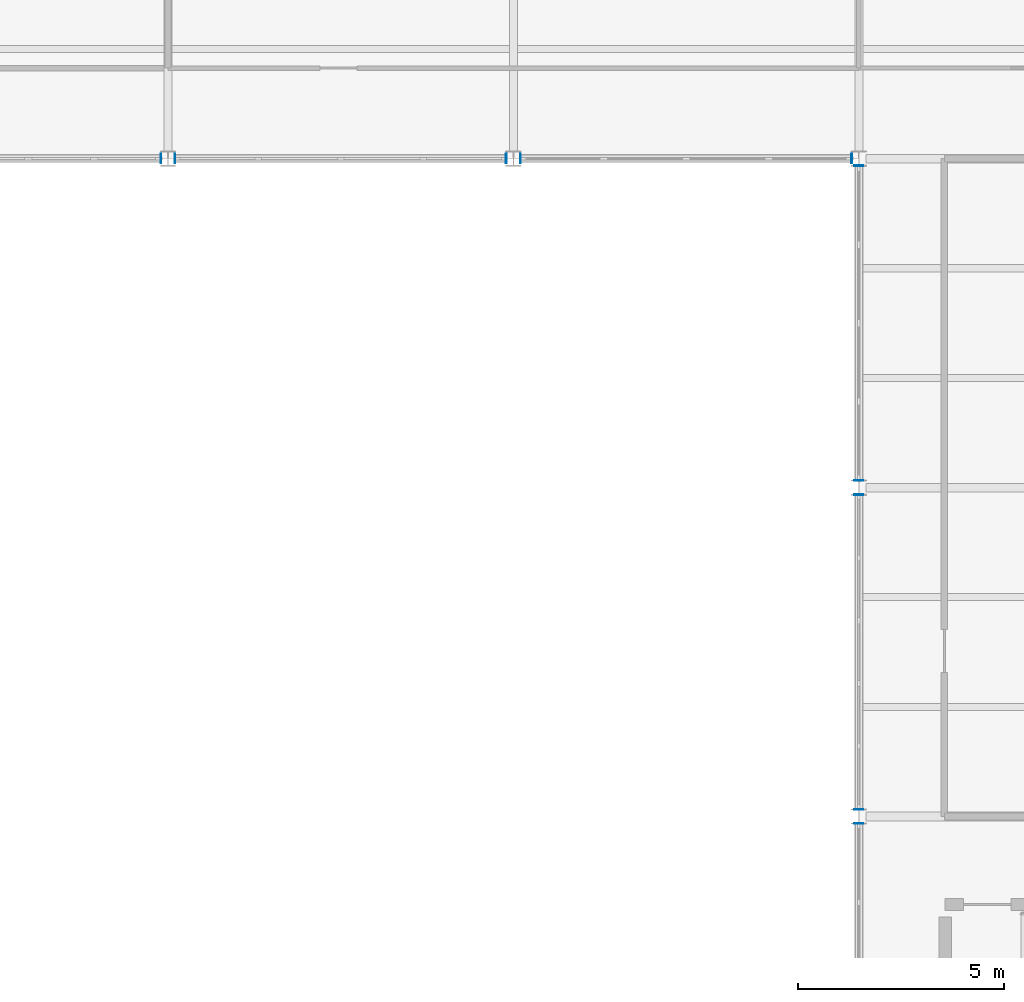
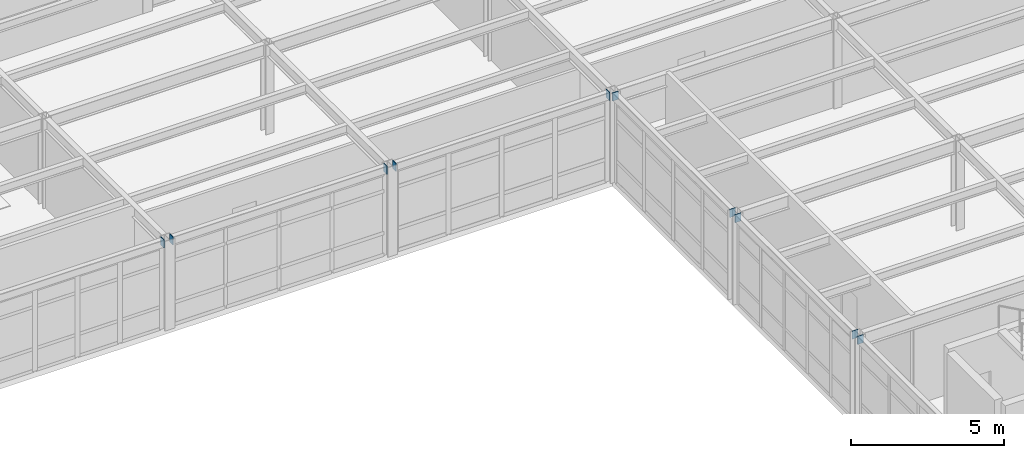
# One storey, part 84 of 96: 10 discrete accessories.
"""IFC4 building model written with IfcOpenShell, lengths in metres."""

from ifc_helpers import new_model, si_unit, direction, frame, origin, origin_2d, place, context, subcontext, project, spatial, rectangle, extrude, material, layer, layer_set, type_object, element, save


model = new_model("IFC4")

# Units and contexts
model_context = context("Model", 3, precision=1e-05, world=origin(), true_north=direction((0.0, 1.0)))
body_context = subcontext(model_context, "Body", "Model", "MODEL_VIEW")
ifc_project = project(units=[si_unit("LENGTHUNIT", "METRE"), si_unit("AREAUNIT", "SQUARE_METRE"), si_unit("VOLUMEUNIT", "CUBIC_METRE"), si_unit("PLANEANGLEUNIT", "RADIAN"), si_unit("MASSUNIT", "GRAM", prefix="KILO")], contexts=[model_context])

# Site, building, storey
site_placement = place(None, origin())
site = spatial("IfcSite", under=ifc_project, at=site_placement, CompositionType="ELEMENT")
building_placement = place(site_placement, origin())
building = spatial("IfcBuilding", under=site, at=building_placement, Name="Kranzveld Transit Interchange", CompositionType="ELEMENT")
storey_placement = place(building_placement, frame((0.0, 0.0, 9.52001953125)))
storey = spatial("IfcBuildingStorey", under=building, at=storey_placement, Name="L02", CompositionType="ELEMENT", Elevation=9.52001953125)

# Discrete accessories
ifc_material = material(Name="Steel S355JR", Category="steel")
ifc_layer = layer(ifc_material, 0.02001953125)
ifc_layer_set = layer_set([ifc_layer], Name="Steel S355JR")
discrete_accessory_type = type_object("IfcDiscreteAccessoryType", Name="Hollow Section End Cap Bracket 20 S355JR", PredefinedType="BRACKET", material=ifc_layer_set)
for number, where, z_axis, x_axis, name in (
    (1, (134.21875, 96.0, 3.419921875), (1.0, 0.0, 0.0), (0.0, 1.0, 0.0), "Hollow Section End Cap SP-RHS300-2"),
    (2, (134.581298828125, 96.0, 3.419921875), (-1.0, 0.0, 0.0), (0.0, -1.0, 0.0), "Hollow Section End Cap SP-RHS300-1"),
    (3, (142.61865234375, 96.0, 3.419921875), (1.0, 0.0, 0.0), (0.0, 1.0, 0.0), "Hollow Section End Cap SP-RHS300-2"),
    (4, (142.981201171875, 96.0, 3.419921875), (-1.0, 0.0, 0.0), (0.0, -1.0, 0.0), "Hollow Section End Cap SP-RHS300-1"),
    (5, (151.018798828125, 96.0, 3.419921875), (1.0, 0.0, 0.0), (0.0, 1.0, 0.0), "Hollow Section End Cap SP-RHS300-2"),
    (6, (151.199951171875, 79.818603515625, 3.419921875), (0.0, 1.0, 0.0), (-1.0, 0.0, 0.0), "Hollow Section End Cap SP-RHS300-2"),
    (7, (151.199951171875, 80.181396484375, 3.419921875), (0.0, -1.0, 0.0), (1.0, 0.0, 0.0), "Hollow Section End Cap SP-RHS300-1"),
    (8, (151.199951171875, 87.818603515625, 3.419921875), (0.0, 1.0, 0.0), (-1.0, 0.0, 0.0), "Hollow Section End Cap SP-RHS300-2"),
    (9, (151.199951171875, 88.181396484375, 3.419921875), (0.0, -1.0, 0.0), (1.0, 0.0, 0.0), "Hollow Section End Cap SP-RHS300-1"),
    (10, (151.199951171875, 95.818603515625, 3.419921875), (0.0, 1.0, 0.0), (-1.0, 0.0, 0.0), "Hollow Section End Cap SP-RHS300-2"),
):
    element("IfcDiscreteAccessory", number, at=place(storey_placement, frame(where, z_axis=z_axis, x_axis=x_axis)), inside=storey, type_object=discrete_accessory_type, Name=name, PredefinedType="BRACKET", context=body_context, shape_type="SweptSolid", body=[
        extrude(rectangle(XDim=0.22412109375, YDim=0.323974609375, at=origin_2d()), origin(), (0.0, 0.0, 1.0), 0.02001953125),
    ])

save(model, "model.ifc")
